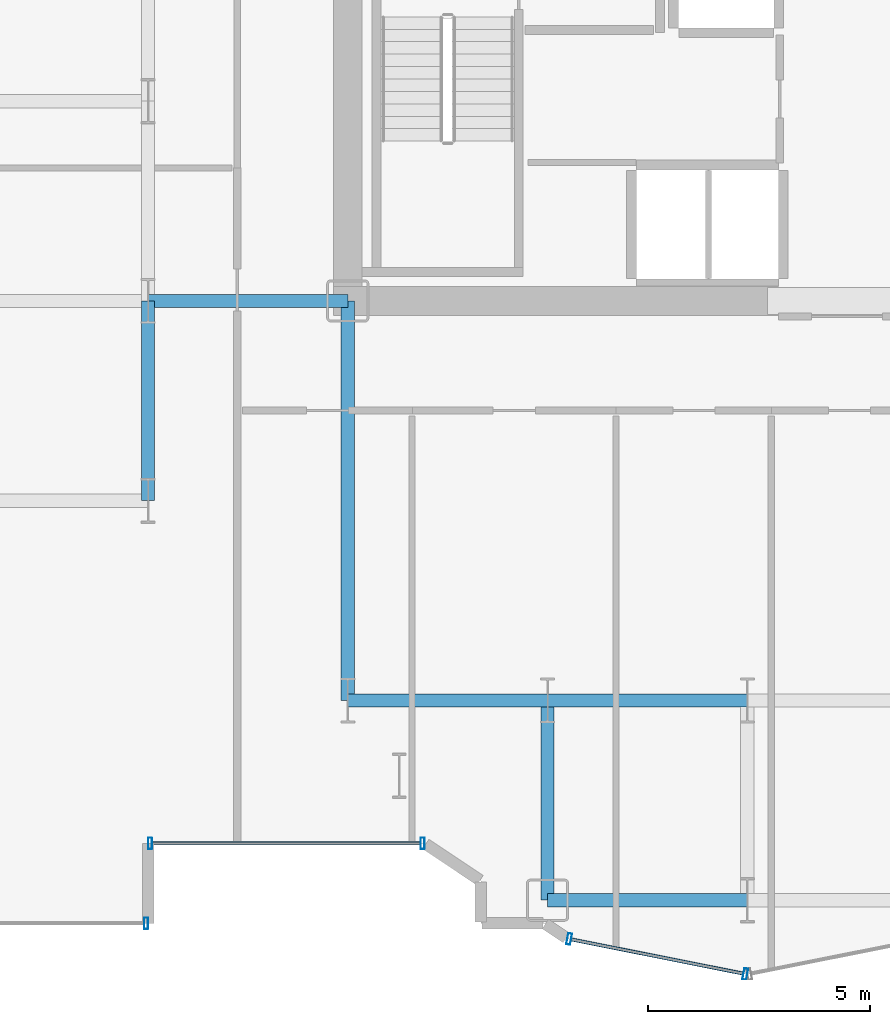
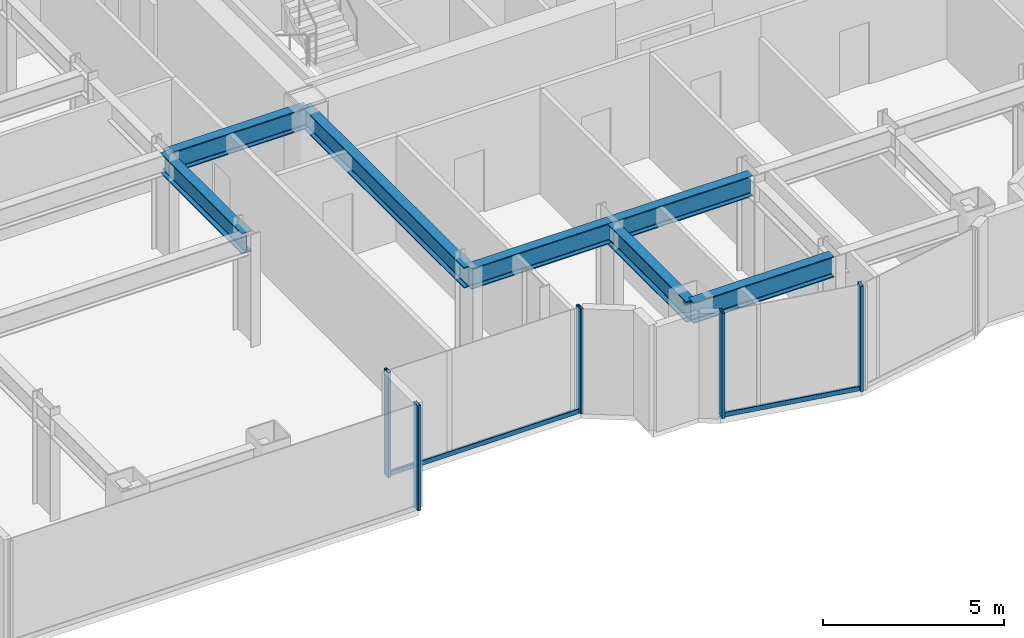
# One storey, part 4 of 26: 7 beams, 7 members, 3 elements without a shape of their own.
"""IFC4 building model written with IfcOpenShell, lengths in metres."""

from ifc_helpers import new_model, si_unit, direction, frame, origin, origin_2d, place, context, subcontext, project, spatial, hollow_rectangle, i_section, extrude, source, transform, mapped, material, layer, layer_set, material_profile, profile_set, type_object, element, aggregate, save


model = new_model("IFC4")

# Units and contexts
model_context = context("Model", 3, precision=1e-05, world=origin(), true_north=direction((0.0, 1.0)))
body_context = subcontext(model_context, "Body", "Model", "MODEL_VIEW")
ifc_project = project(units=[si_unit("LENGTHUNIT", "METRE"), si_unit("AREAUNIT", "SQUARE_METRE"), si_unit("VOLUMEUNIT", "CUBIC_METRE"), si_unit("PLANEANGLEUNIT", "RADIAN"), si_unit("MASSUNIT", "GRAM", prefix="KILO")], contexts=[model_context])

# Site, building, storey
site_placement = place(None, origin())
site = spatial("IfcSite", under=ifc_project, at=site_placement, CompositionType="ELEMENT")
building_placement = place(site_placement, origin())
building = spatial("IfcBuilding", under=site, at=building_placement, Name="Nefas-Gora Pilgrimage Tower", CompositionType="ELEMENT")
storey_placement = place(building_placement, frame((0.0, 0.0, 63.39990234375)))
storey = spatial("IfcBuildingStorey", under=building, at=storey_placement, Name="L14", CompositionType="ELEMENT", Elevation=63.39990234375)

# Beams
ifc_material_1 = material(Name="Steel S355", Category="steel")
ifc_material_profile_1 = material_profile(ifc_material_1, i_section(OverallWidth=0.300048828125, OverallDepth=0.699951171875, WebThickness=0.01708984375, FlangeThickness=0.031982421875, FilletRadius=0.027099609375, at=origin_2d()), Name="HEB 700")
ifc_profile_set_1 = profile_set([ifc_material_profile_1], Name="Steel S355")
beam_type = type_object("IfcBeamType", Name="BM-GIR-HEB700", PredefinedType="BEAM", material=ifc_profile_set_1)
shared_shape_1 = source(origin(), body_context, "Body", "SweptSolid", [
    extrude(i_section(OverallWidth=0.300048828125, OverallDepth=0.699951171875, WebThickness=0.01708984375, FlangeThickness=0.031982421875, FilletRadius=0.027099609375, at=origin_2d()), origin(), (0.0, 0.0, 1.0), 9.0),
])
beam_placement = place(storey_placement, frame((-11.25, -18.0, 3.2001953125), z_axis=(0.0, 1.0, 0.0), x_axis=(-1.0, 0.0, 0.0)))
element("IfcBeam", 1, at=beam_placement, inside=storey, type_object=beam_type, Name="L14 G-02 beam", PredefinedType="BEAM", context=body_context, shape_type="MappedRepresentation", body=[
    mapped(shared_shape_1, transform((0.0, 0.0, 0.0), x_axis=(1.0, 0.0, 0.0), y_axis=(0.0, 1.0, 0.0), z_axis=(0.0, 0.0, 1.0), scale=1.0)),
])
shared_shape_2 = source(origin(), body_context, "Body", "SweptSolid", [
    extrude(i_section(OverallWidth=0.300048828125, OverallDepth=0.699951171875, WebThickness=0.01708984375, FlangeThickness=0.031982421875, FilletRadius=0.027099609375, at=origin_2d()), origin(), (0.0, 0.0, 1.0), 4.5),
])
for number, where, z_axis, x_axis, name in (
    (2, (-15.75, -13.5, 3.2001953125), (0.0, 1.0, 0.0), (-1.0, 0.0, 0.0), "L14 G-02 beam"),
    (3, (-15.75, -9.0, 3.2001953125), (1.0, 0.0, 0.0), (0.0, 1.0, 0.0), "L14 G-02 beam"),
    (4, (-11.25, -18.0, 3.2001953125), (1.0, 0.0, 0.0), (0.0, 1.0, 0.0), "L14 G-02 beam"),
    (5, (-6.75, -22.5, 3.2001953125), (0.0, 1.0, 0.0), (-1.0, 0.0, 0.0), "L14 G-02 beam"),
    (6, (-6.75, -22.5, 3.2001953125), (1.0, 0.0, 0.0), (0.0, 1.0, 0.0), "L14 G-02 beam"),
    (7, (-6.75, -18.0, 3.2001953125), (1.0, 0.0, 0.0), (0.0, 1.0, 0.0), "L14 G-02 beam"),
):
    element("IfcBeam", number, at=place(storey_placement, frame(where, z_axis=z_axis, x_axis=x_axis)), inside=storey, type_object=beam_type, Name=name, PredefinedType="BEAM", context=body_context, shape_type="MappedRepresentation", body=[
        mapped(shared_shape_2, transform((0.0, 0.0, 0.0), x_axis=(1.0, 0.0, 0.0), y_axis=(0.0, 1.0, 0.0), z_axis=(0.0, 0.0, 1.0), scale=1.0)),
    ])

# Curtain wall, members
ifc_material_2 = material(Name="Dark ceramic-fritted solar-control aluminium-glass curtain wall", Category="aluminium")
ifc_layer_1 = layer(ifc_material_2, 0.219970703125)
ifc_layer_set_1 = layer_set([ifc_layer_1], Name="Dark ceramic-fritted solar-control aluminium-glass curtain wall")
curtain_wall_type_1 = type_object("IfcCurtainWallType", Name="CW-SYS-5", PredefinedType="NOTDEFINED", material=ifc_layer_set_1)
curtain_wall_1_placement = place(storey_placement, origin())
curtain_wall_1 = element("IfcCurtainWall", 8, at=curtain_wall_1_placement, inside=storey, type_object=curtain_wall_type_1, Name="L14 Unitised Curtain Wall CW5", PredefinedType="NOTDEFINED")
ifc_material_3 = material(Name="Anodised architectural aluminium", Category="aluminium")
ifc_material_profile_2 = material_profile(ifc_material_3, hollow_rectangle(XDim=0.090087890625, YDim=0.260009765625, WallThickness=0.006103515625, InnerFilletRadius=0.006103515625, OuterFilletRadius=0.011962890625, at=origin_2d()), Name="ALU MULLION 90x260")
ifc_profile_set_2 = profile_set([ifc_material_profile_2], Name="Anodised architectural aluminium")
member_type_1 = type_object("IfcMemberType", Name="CWM-MUL-5", PredefinedType="MULLION", material=ifc_profile_set_2)
shared_shape_3 = source(origin(), body_context, "Body", "SweptSolid", [
    extrude(hollow_rectangle(XDim=0.090087890625, YDim=0.260009765625, WallThickness=0.006103515625, InnerFilletRadius=0.006103515625, OuterFilletRadius=0.011962890625, at=origin_2d()), origin(), (0.0, 0.0, 1.0), 3.550048828125),
])
member_1_placement = place(storey_placement, frame((-15.705078125, -21.219970703125, 0.0), z_axis=(0.0, 0.0, 1.0), x_axis=(1.0, 0.0, 0.0)))
member_1 = element("IfcMember", 9, at=member_1_placement, type_object=member_type_1, Name="CW5 Mullion 1", PredefinedType="MULLION", context=body_context, shape_type="MappedRepresentation", body=[
    mapped(shared_shape_3, transform((0.0, 0.0, 0.0), x_axis=(1.0, 0.0, 0.0), y_axis=(0.0, 1.0, 0.0), z_axis=(0.0, 0.0, 1.0), scale=1.0)),
])
member_2_placement = place(storey_placement, frame((-9.56298828125, -21.219970703125, 0.0), z_axis=(0.0, 0.0, 1.0), x_axis=(1.0, 0.0, 0.0)))
member_2 = element("IfcMember", 10, at=member_2_placement, type_object=member_type_1, Name="CW5 Mullion 2", PredefinedType="MULLION", context=body_context, shape_type="MappedRepresentation", body=[
    mapped(shared_shape_3, transform((0.0, 0.0, 0.0), x_axis=(1.0, 0.0, 0.0), y_axis=(0.0, 1.0, 0.0), z_axis=(0.0, 0.0, 1.0), scale=1.0)),
])

curtain_wall_2_placement = place(storey_placement, origin())
curtain_wall_2 = element("IfcCurtainWall", 11, at=curtain_wall_2_placement, inside=storey, type_object=curtain_wall_type_1, Name="L14 Unitised Curtain Wall CW5", PredefinedType="NOTDEFINED")
member_3_placement = place(storey_placement, frame((-6.26318359375, -23.3740234375, 0.0), z_axis=(0.0, 0.0, 1.0), x_axis=(0.980782896852, -0.195102304554, 0.0)))
member_3 = element("IfcMember", 12, at=member_3_placement, type_object=member_type_1, Name="CW5 Mullion 1", PredefinedType="MULLION", context=body_context, shape_type="MappedRepresentation", body=[
    mapped(shared_shape_3, transform((0.0, 0.0, 0.0), x_axis=(1.0, 0.0, 0.0), y_axis=(0.0, 1.0, 0.0), z_axis=(0.0, 0.0, 1.0), scale=1.0)),
])
member_4_placement = place(storey_placement, frame((-2.294189453125, -24.16357421875, 0.0), z_axis=(0.0, 0.0, 1.0), x_axis=(0.980782896852, -0.195102304554, 0.0)))
member_4 = element("IfcMember", 13, at=member_4_placement, type_object=member_type_1, Name="CW5 Mullion 2", PredefinedType="MULLION", context=body_context, shape_type="MappedRepresentation", body=[
    mapped(shared_shape_3, transform((0.0, 0.0, 0.0), x_axis=(1.0, 0.0, 0.0), y_axis=(0.0, 1.0, 0.0), z_axis=(0.0, 0.0, 1.0), scale=1.0)),
])

# Member
ifc_material_profile_3 = material_profile(ifc_material_3, hollow_rectangle(XDim=0.080078125, YDim=0.159912109375, WallThickness=0.00439453125, InnerFilletRadius=0.00439453125, OuterFilletRadius=0.009033203125, at=origin_2d()), Name="ALU TRANSOM 80x160")
ifc_profile_set_3 = profile_set([ifc_material_profile_3], Name="Anodised architectural aluminium")
member_type_2 = type_object("IfcMemberType", Name="CWM-TRN-5", PredefinedType="USERDEFINED", material=ifc_profile_set_3)
shared_shape_4 = source(origin(), body_context, "Body", "SweptSolid", [
    extrude(hollow_rectangle(XDim=0.080078125, YDim=0.159912109375, WallThickness=0.00439453125, InnerFilletRadius=0.00439453125, OuterFilletRadius=0.009033203125, at=origin_2d()), origin(), (0.0, 0.0, 1.0), 6.052001953125),
])
member_5_placement = place(storey_placement, frame((-15.659912109375, -21.219970703125, 0.050048828125), z_axis=(1.0, 0.0, 0.0), x_axis=(0.0, 1.0, 0.0)))
member_5 = element("IfcMember", 14, at=member_5_placement, type_object=member_type_2, Name="CW5 Spandrel Transom", ObjectType="TRANSOM", PredefinedType="USERDEFINED", context=body_context, shape_type="MappedRepresentation", body=[
    mapped(shared_shape_4, transform((0.0, 0.0, 0.0), x_axis=(1.0, 0.0, 0.0), y_axis=(0.0, 1.0, 0.0), z_axis=(0.0, 0.0, 1.0), scale=1.0)),
])

aggregate(curtain_wall_1, [member_1, member_2, member_5])

# Curtain wall, member
ifc_layer_2 = layer(ifc_material_2, 0.219970703125)
ifc_layer_set_2 = layer_set([ifc_layer_2], Name="Dark ceramic-fritted solar-control aluminium-glass curtain wall")
curtain_wall_type_2 = type_object("IfcCurtainWallType", Name="CW-SYS-2", PredefinedType="NOTDEFINED", material=ifc_layer_set_2)
curtain_wall_3_placement = place(storey_placement, origin())
curtain_wall_3 = element("IfcCurtainWall", 15, at=curtain_wall_3_placement, inside=storey, type_object=curtain_wall_type_2, Name="L14 Unitised Curtain Wall CW2", PredefinedType="NOTDEFINED")
ifc_material_profile_4 = material_profile(ifc_material_3, hollow_rectangle(XDim=0.090087890625, YDim=0.260009765625, WallThickness=0.006103515625, InnerFilletRadius=0.006103515625, OuterFilletRadius=0.011962890625, at=origin_2d()), Name="ALU MULLION 90x260")
ifc_profile_set_4 = profile_set([ifc_material_profile_4], Name="Anodised architectural aluminium")
member_type_3 = type_object("IfcMemberType", Name="CWM-MUL-2", PredefinedType="MULLION", material=ifc_profile_set_4)
shared_shape_5 = source(origin(), body_context, "Body", "SweptSolid", [
    extrude(hollow_rectangle(XDim=0.090087890625, YDim=0.260009765625, WallThickness=0.006103515625, InnerFilletRadius=0.006103515625, OuterFilletRadius=0.011962890625, at=origin_2d()), origin(), (0.0, 0.0, 1.0), 3.550048828125),
])
member_6_placement = place(storey_placement, frame((-15.794921875, -23.02001953125, 0.0), z_axis=(0.0, 0.0, 1.0), x_axis=(1.0, 0.0, 0.0)))
member_6 = element("IfcMember", 16, at=member_6_placement, type_object=member_type_3, Name="CW2 Mullion 2", PredefinedType="MULLION", context=body_context, shape_type="MappedRepresentation", body=[
    mapped(shared_shape_5, transform((0.0, 0.0, 0.0), x_axis=(1.0, 0.0, 0.0), y_axis=(0.0, 1.0, 0.0), z_axis=(0.0, 0.0, 1.0), scale=1.0)),
])
aggregate(curtain_wall_3, [member_6])

# Member
shared_shape_6 = source(origin(), body_context, "Body", "SweptSolid", [
    extrude(hollow_rectangle(XDim=0.080078125, YDim=0.159912109375, WallThickness=0.00439453125, InnerFilletRadius=0.00439453125, OuterFilletRadius=0.009033203125, at=origin_2d()), origin(), (0.0, 0.0, 1.0), 3.95654296875),
])
member_7_placement = place(storey_placement, frame((-6.218994140625, -23.3828125, 0.050048828125), z_axis=(0.980781880918, -0.195107411605, 0.0), x_axis=(0.195107411605, 0.980781880918, 0.0)))
member_7 = element("IfcMember", 17, at=member_7_placement, type_object=member_type_2, Name="CW5 Spandrel Transom", ObjectType="TRANSOM", PredefinedType="USERDEFINED", context=body_context, shape_type="MappedRepresentation", body=[
    mapped(shared_shape_6, transform((0.0, 0.0, 0.0), x_axis=(1.0, 0.0, 0.0), y_axis=(0.0, 1.0, 0.0), z_axis=(0.0, 0.0, 1.0), scale=1.0)),
])

aggregate(curtain_wall_2, [member_3, member_4, member_7])

save(model, "model.ifc")
